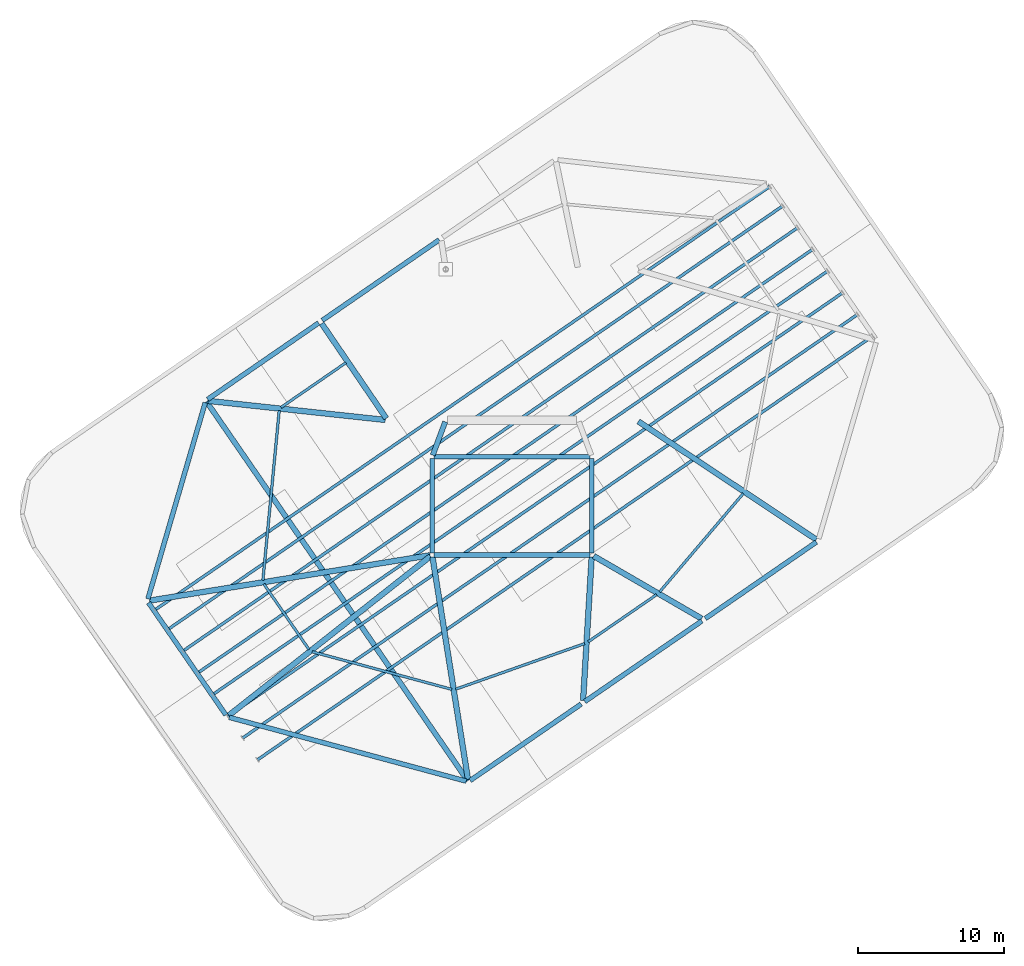
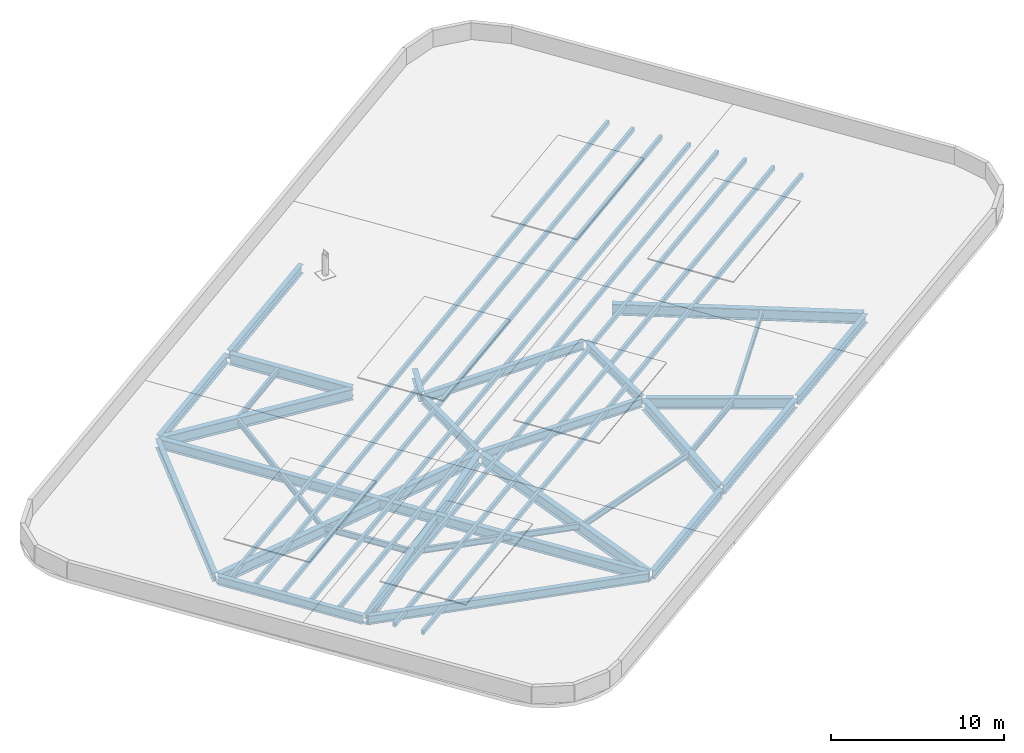
# One storey, part 1 of 7: 29 beams, 8 members.
"""IFC4 building model written with IfcOpenShell, lengths in metres."""

from ifc_helpers import new_model, si_unit, direction, frame, origin, origin_2d, place, context, subcontext, project, spatial, hollow_rectangle, i_section, extrude, material, material_profile, profile_set, type_object, element, save


model = new_model("IFC4")

# Units and contexts
model_context = context("Model", 3, precision=1e-05, world=origin(), true_north=direction((0.0, 1.0)))
body_context = subcontext(model_context, "Body", "Model", "MODEL_VIEW")
ifc_project = project(units=[si_unit("LENGTHUNIT", "METRE"), si_unit("AREAUNIT", "SQUARE_METRE"), si_unit("VOLUMEUNIT", "CUBIC_METRE"), si_unit("PLANEANGLEUNIT", "RADIAN"), si_unit("MASSUNIT", "GRAM", prefix="KILO")], contexts=[model_context])

# Site, building, storey
site_placement = place(None, origin())
site = spatial("IfcSite", under=ifc_project, at=site_placement, CompositionType="ELEMENT")
building_placement = place(site_placement, origin())
building = spatial("IfcBuilding", under=site, at=building_placement, Name="Varnelok Gate Tower", CompositionType="ELEMENT")
storey_placement = place(building_placement, frame((0.0, 0.0, 310.699951171875)))
storey = spatial("IfcBuildingStorey", under=building, at=storey_placement, Name="ROOF", CompositionType="ELEMENT", Elevation=310.699951171875)

# Beams
ifc_material_1 = material(Name="Structural Steel ASTM A992 Grade 50", Category="steel")
ifc_material_profile_1 = material_profile(ifc_material_1, i_section(OverallWidth=0.180908203125, OverallDepth=0.4169921875, WebThickness=0.010986328125, FlangeThickness=0.018310546875, FilletRadius=0.013916015625, at=origin_2d()), Name="W16X57")
ifc_profile_set_1 = profile_set([ifc_material_profile_1], Name="Structural Steel ASTM A992 Grade 50")
beam_type_1 = type_object("IfcBeamType", Name="BM-JST-W16X57", PredefinedType="JOIST", material=ifc_profile_set_1)
beam_1_placement = place(storey_placement, frame((35.3525390625, 10.3818359375, -0.468505859375), z_axis=(0.94281695805, 0.333310941336, 0.0), x_axis=(-0.333310941336, 0.94281695805, 0.0)))
element("IfcBeam", 1, at=beam_1_placement, inside=storey, type_object=beam_type_1, Name="ROOF Sector Floor Joist 1", PredefinedType="JOIST", context=body_context, shape_type="SweptSolid", body=[
    extrude(i_section(OverallWidth=0.180908203125, OverallDepth=0.4169921875, WebThickness=0.010986328125, FlangeThickness=0.018310546875, FilletRadius=0.013916015625, at=origin_2d()), origin(), (0.0, 0.0, 1.0), 9.33984375),
])
beam_2_placement = place(storey_placement, frame((44.405517578125, 13.62109375, -0.468505859375), z_axis=(0.823541573547, 0.567255918117, 0.0), x_axis=(-0.567255918117, 0.823541573547, 0.0)))
element("IfcBeam", 2, at=beam_2_placement, inside=storey, type_object=beam_type_1, Name="ROOF Sector Floor Joist 2", PredefinedType="JOIST", context=body_context, shape_type="SweptSolid", body=[
    extrude(i_section(OverallWidth=0.180908203125, OverallDepth=0.4169921875, WebThickness=0.010986328125, FlangeThickness=0.018310546875, FilletRadius=0.013916015625, at=origin_2d()), origin(), (0.0, 0.0, 1.0), 5.669921875),
])
beam_3_placement = place(storey_placement, frame((49.28076171875, 17.0234375, -0.468505859375), z_axis=(0.647492476983, 0.762071841922, 0.0), x_axis=(-0.762071841922, 0.647492476983, 0.0)))
element("IfcBeam", 3, at=beam_3_placement, inside=storey, type_object=beam_type_1, Name="ROOF Sector Floor Joist 3", PredefinedType="JOIST", context=body_context, shape_type="SweptSolid", body=[
    extrude(i_section(OverallWidth=0.180908203125, OverallDepth=0.4169921875, WebThickness=0.010986328125, FlangeThickness=0.018310546875, FilletRadius=0.013916015625, at=origin_2d()), origin(), (0.0, 0.0, 1.0), 8.817138671875),
])
beam_4_placement = place(storey_placement, frame((27.859375, 32.67236328125, -0.468505859375), z_axis=(-0.823523168655, -0.567282637394, 0.0), x_axis=(0.567282637394, -0.823523168655, 0.0)))
element("IfcBeam", 4, at=beam_4_placement, inside=storey, type_object=beam_type_1, Name="ROOF Sector Floor Joist 8", PredefinedType="JOIST", context=body_context, shape_type="SweptSolid", body=[
    extrude(i_section(OverallWidth=0.180908203125, OverallDepth=0.4169921875, WebThickness=0.010986328125, FlangeThickness=0.018310546875, FilletRadius=0.013916015625, at=origin_2d()), origin(), (0.0, 0.0, 1.0), 5.372802734375),
])
beam_5_placement = place(storey_placement, frame((23.30615234375, 29.40576171875, -0.468505859375), z_axis=(-0.095765159292, -0.99540395532, 0.0), x_axis=(0.99540395532, -0.095765159292, 0.0)))
element("IfcBeam", 5, at=beam_5_placement, inside=storey, type_object=beam_type_1, Name="ROOF Sector Floor Joist 9", PredefinedType="JOIST", context=body_context, shape_type="SweptSolid", body=[
    extrude(i_section(OverallWidth=0.180908203125, OverallDepth=0.4169921875, WebThickness=0.010986328125, FlangeThickness=0.018310546875, FilletRadius=0.013916015625, at=origin_2d()), origin(), (0.0, 0.0, 1.0), 11.640380859375),
])
beam_6_placement = place(storey_placement, frame((22.25732421875, 17.564208984375, -0.468505859375), z_axis=(0.567289657593, -0.823518332758, 0.0), x_axis=(0.823518332758, 0.567289657593, 0.0)))
element("IfcBeam", 6, at=beam_6_placement, inside=storey, type_object=beam_type_1, Name="ROOF Sector Floor Joist 10", PredefinedType="JOIST", context=body_context, shape_type="SweptSolid", body=[
    extrude(i_section(OverallWidth=0.180908203125, OverallDepth=0.4169921875, WebThickness=0.010986328125, FlangeThickness=0.018310546875, FilletRadius=0.013916015625, at=origin_2d()), origin(), (0.0, 0.0, 1.0), 5.43212890625),
])
beam_7_placement = place(storey_placement, frame((25.553466796875, 12.939208984375, -0.468505859375), z_axis=(0.965582081815, -0.260098526098, 0.0), x_axis=(0.260098526098, 0.965582081815, 0.0)))
element("IfcBeam", 7, at=beam_7_placement, inside=storey, type_object=beam_type_1, Name="ROOF Sector Floor Joist 11", PredefinedType="JOIST", context=body_context, shape_type="SweptSolid", body=[
    extrude(i_section(OverallWidth=0.180908203125, OverallDepth=0.4169921875, WebThickness=0.010986328125, FlangeThickness=0.018310546875, FilletRadius=0.013916015625, at=origin_2d()), origin(), (0.0, 0.0, 1.0), 9.871826171875),
])
ifc_material_profile_2 = material_profile(ifc_material_1, i_section(OverallWidth=0.35498046875, OverallDepth=0.696044921875, WebThickness=0.015380859375, FlangeThickness=0.02490234375, FilletRadius=0.02001953125, at=origin_2d()), Name="W27X146")
ifc_profile_set_2 = profile_set([ifc_material_profile_2], Name="Structural Steel ASTM A992 Grade 50")
beam_type_2 = type_object("IfcBeamType", Name="BM-PRI-W27X146", PredefinedType="BEAM", material=ifc_profile_set_2)
beam_8_placement = place(storey_placement, frame((33.791748046875, 26.362548828125, -0.60791015625), z_axis=(0.348719329408, 0.937227202602, 0.0), x_axis=(-0.937227202602, 0.348719329408, 0.0)))
element("IfcBeam", 8, at=beam_8_placement, inside=storey, type_object=beam_type_2, Name="ROOF Core-Atrium Spine Beam 12", PredefinedType="BEAM", context=body_context, shape_type="SweptSolid", body=[
    extrude(i_section(OverallWidth=0.35498046875, OverallDepth=0.696044921875, WebThickness=0.015380859375, FlangeThickness=0.02490234375, FilletRadius=0.02001953125, at=origin_2d()), origin(), (0.0, 0.0, 1.0), 2.42724609375),
])
beam_9_placement = place(storey_placement, frame((36.17626953125, 4.128662109375, -0.60791015625), z_axis=(-0.56726977702, 0.823532027355, 0.0), x_axis=(-0.823532027355, -0.56726977702, 0.0)))
element("IfcBeam", 9, at=beam_9_placement, inside=storey, type_object=beam_type_2, Name="ROOF Canopy Primary Girder 1", PredefinedType="BEAM", context=body_context, shape_type="SweptSolid", body=[
    extrude(i_section(OverallWidth=0.35498046875, OverallDepth=0.696044921875, WebThickness=0.015380859375, FlangeThickness=0.02490234375, FilletRadius=0.02001953125, at=origin_2d()), origin(), (0.0, 0.0, 1.0), 31.43994140625),
])
ifc_material_profile_3 = material_profile(ifc_material_1, i_section(OverallWidth=0.381103515625, OverallDepth=0.77294921875, WebThickness=0.0166015625, FlangeThickness=0.027099609375, FilletRadius=0.02197265625, at=origin_2d()), Name="W30X173")
ifc_profile_set_3 = profile_set([ifc_material_profile_3], Name="Structural Steel ASTM A992 Grade 50")
beam_type_3 = type_object("IfcBeamType", Name="BM-PRI-W30X173", PredefinedType="BEAM", material=ifc_profile_set_3)
beam_10_placement = place(storey_placement, frame((33.773681640625, 19.40185546875, -0.646484375), z_axis=(0.1575955791, -0.987503738448, 0.0), x_axis=(0.987503738448, 0.1575955791, 0.0)))
element("IfcBeam", 10, at=beam_10_placement, inside=storey, type_object=beam_type_3, Name="ROOF Radial Floor Girder 1", PredefinedType="BEAM", context=body_context, shape_type="SweptSolid", body=[
    extrude(i_section(OverallWidth=0.381103515625, OverallDepth=0.77294921875, WebThickness=0.0166015625, FlangeThickness=0.027099609375, FilletRadius=0.02197265625, at=origin_2d()), origin(), (0.0, 0.0, 1.0), 15.383056640625),
])
beam_11_placement = place(storey_placement, frame((44.64111328125, 19.400390625, -0.646484375), z_axis=(-0.059789199361, -0.998211025605, 0.0), x_axis=(0.998211025605, -0.059789199361, 0.0)))
element("IfcBeam", 11, at=beam_11_placement, inside=storey, type_object=beam_type_3, Name="ROOF Radial Floor Girder 2", PredefinedType="BEAM", context=body_context, shape_type="SweptSolid", body=[
    extrude(i_section(OverallWidth=0.381103515625, OverallDepth=0.77294921875, WebThickness=0.0166015625, FlangeThickness=0.027099609375, FilletRadius=0.02197265625, at=origin_2d()), origin(), (0.0, 0.0, 1.0), 9.81640625),
])
beam_12_placement = place(storey_placement, frame((44.77978515625, 19.474609375, -0.646484375), z_axis=(0.865040888509, -0.501701366559, 0.0), x_axis=(0.501701366559, 0.865040888509, 0.0)))
element("IfcBeam", 12, at=beam_12_placement, inside=storey, type_object=beam_type_3, Name="ROOF Radial Floor Girder 3", PredefinedType="BEAM", context=body_context, shape_type="SweptSolid", body=[
    extrude(i_section(OverallWidth=0.381103515625, OverallDepth=0.77294921875, WebThickness=0.0166015625, FlangeThickness=0.027099609375, FilletRadius=0.02197265625, at=origin_2d()), origin(), (0.0, 0.0, 1.0), 8.520751953125),
])
beam_13_placement = place(storey_placement, frame((47.824951171875, 28.6669921875, -0.646484375), z_axis=(0.833073516388, -0.553162287482, 0.0), x_axis=(0.553162287482, 0.833073516388, 0.0)))
element("IfcBeam", 13, at=beam_13_placement, inside=storey, type_object=beam_type_3, Name="ROOF Radial Floor Girder 4", PredefinedType="BEAM", context=body_context, shape_type="SweptSolid", body=[
    extrude(i_section(OverallWidth=0.381103515625, OverallDepth=0.77294921875, WebThickness=0.0166015625, FlangeThickness=0.027099609375, FilletRadius=0.02197265625, at=origin_2d()), origin(), (0.0, 0.0, 1.0), 14.58935546875),
])
beam_14_placement = place(storey_placement, frame((30.615478515625, 28.8740234375, -0.646484375), z_axis=(-0.56291143467, 0.826517221066, 0.0), x_axis=(-0.826517221066, -0.56291143467, 0.0)))
element("IfcBeam", 14, at=beam_14_placement, inside=storey, type_object=beam_type_3, Name="ROOF Radial Floor Girder 9", PredefinedType="BEAM", context=body_context, shape_type="SweptSolid", body=[
    extrude(i_section(OverallWidth=0.381103515625, OverallDepth=0.77294921875, WebThickness=0.0166015625, FlangeThickness=0.027099609375, FilletRadius=0.02197265625, at=origin_2d()), origin(), (0.0, 0.0, 1.0), 7.837158203125),
])
beam_15_placement = place(storey_placement, frame((30.55078125, 28.76611328125, -0.646484375), z_axis=(-0.994246705961, 0.107114367314, 0.0), x_axis=(-0.107114367314, -0.994246705961, 0.0)))
element("IfcBeam", 15, at=beam_15_placement, inside=storey, type_object=beam_type_3, Name="ROOF Radial Floor Girder 10", PredefinedType="BEAM", context=body_context, shape_type="SweptSolid", body=[
    extrude(i_section(OverallWidth=0.381103515625, OverallDepth=0.77294921875, WebThickness=0.0166015625, FlangeThickness=0.027099609375, FilletRadius=0.02197265625, at=origin_2d()), origin(), (0.0, 0.0, 1.0), 12.17578125),
])
beam_16_placement = place(storey_placement, frame((33.601806640625, 19.526123046875, -0.646484375), z_axis=(-0.987185479343, -0.159577032729, 0.0), x_axis=(0.159577032729, -0.987185479343, 0.0)))
element("IfcBeam", 16, at=beam_16_placement, inside=storey, type_object=beam_type_3, Name="ROOF Radial Floor Girder 11", PredefinedType="BEAM", context=body_context, shape_type="SweptSolid", body=[
    extrude(i_section(OverallWidth=0.381103515625, OverallDepth=0.77294921875, WebThickness=0.0166015625, FlangeThickness=0.027099609375, FilletRadius=0.02197265625, at=origin_2d()), origin(), (0.0, 0.0, 1.0), 19.40087890625),
])
beam_17_placement = place(storey_placement, frame((33.632080078125, 19.45703125, -0.646484375), z_axis=(-0.785021008542, -0.619469140594, 0.0), x_axis=(0.619469140594, -0.785021008542, 0.0)))
element("IfcBeam", 17, at=beam_17_placement, inside=storey, type_object=beam_type_3, Name="ROOF Radial Floor Girder 12", PredefinedType="BEAM", context=body_context, shape_type="SweptSolid", body=[
    extrude(i_section(OverallWidth=0.381103515625, OverallDepth=0.77294921875, WebThickness=0.0166015625, FlangeThickness=0.027099609375, FilletRadius=0.02197265625, at=origin_2d()), origin(), (0.0, 0.0, 1.0), 17.537109375),
])
ifc_material_profile_4 = material_profile(ifc_material_1, i_section(OverallWidth=0.323974609375, OverallDepth=0.611083984375, WebThickness=0.0126953125, FlangeThickness=0.01904296875, FilletRadius=0.01806640625, at=origin_2d()), Name="W24X104")
ifc_profile_set_4 = profile_set([ifc_material_profile_4], Name="Structural Steel ASTM A992 Grade 50")
beam_type_4 = type_object("IfcBeamType", Name="BM-SPN-W24X104", PredefinedType="SPANDREL", material=ifc_profile_set_4)
for number, where, z_axis, x_axis, name in (
    (18, (33.8701171875, 19.550048828125, -0.5654296875), (1.0, 0.0, 0.0), (0.0, 1.0, 0.0), "ROOF Core-Atrium Spine Beam 8"),
    (19, (33.8701171875, 26.25, -0.5654296875), (1.0, 0.0, 0.0), (0.0, 1.0, 0.0), "ROOF Core-Atrium Spine Beam 9"),
):
    element("IfcBeam", number, at=place(storey_placement, frame(where, z_axis=z_axis, x_axis=x_axis)), inside=storey, type_object=beam_type_4, Name=name, PredefinedType="SPANDREL", context=body_context, shape_type="SweptSolid", body=[
        extrude(i_section(OverallWidth=0.323974609375, OverallDepth=0.611083984375, WebThickness=0.0126953125, FlangeThickness=0.01904296875, FilletRadius=0.01806640625, at=origin_2d()), origin(), (0.0, 0.0, 1.0), 10.659912109375),
    ])
for number, where, z_axis, x_axis, name in (
    (20, (33.75, 19.669921875, -0.5654296875), (0.0, 1.0, 0.0), (-1.0, 0.0, 0.0), "ROOF Core-Atrium Spine Beam 10"),
    (21, (44.64990234375, 19.669921875, -0.5654296875), (0.0, 1.0, 0.0), (-1.0, 0.0, 0.0), "ROOF Core-Atrium Spine Beam 11"),
):
    element("IfcBeam", number, at=place(storey_placement, frame(where, z_axis=z_axis, x_axis=x_axis)), inside=storey, type_object=beam_type_4, Name=name, PredefinedType="SPANDREL", context=body_context, shape_type="SweptSolid", body=[
        extrude(i_section(OverallWidth=0.323974609375, OverallDepth=0.611083984375, WebThickness=0.0126953125, FlangeThickness=0.01904296875, FilletRadius=0.01806640625, at=origin_2d()), origin(), (0.0, 0.0, 1.0), 6.4599609375),
    ])
beam_18_placement = place(storey_placement, frame((36.34521484375, 4.14794921875, -0.5654296875), z_axis=(0.823535977075, 0.567264042985, 0.0), x_axis=(-0.567264042985, 0.823535977075, 0.0)))
element("IfcBeam", 22, at=beam_18_placement, inside=storey, type_object=beam_type_4, Name="ROOF Perimeter Spandrel Beam 1", PredefinedType="SPANDREL", context=body_context, shape_type="SweptSolid", body=[
    extrude(i_section(OverallWidth=0.323974609375, OverallDepth=0.611083984375, WebThickness=0.0126953125, FlangeThickness=0.01904296875, FilletRadius=0.01806640625, at=origin_2d()), origin(), (0.0, 0.0, 1.0), 9.199951171875),
])
beam_19_placement = place(storey_placement, frame((44.168701171875, 9.536865234375, -0.5654296875), z_axis=(0.823536343083, 0.567263511626, 0.0), x_axis=(-0.567263511626, 0.823536343083, 0.0)))
element("IfcBeam", 23, at=beam_19_placement, inside=storey, type_object=beam_type_4, Name="ROOF Perimeter Spandrel Beam 2", PredefinedType="SPANDREL", context=body_context, shape_type="SweptSolid", body=[
    extrude(i_section(OverallWidth=0.323974609375, OverallDepth=0.611083984375, WebThickness=0.0126953125, FlangeThickness=0.01904296875, FilletRadius=0.01806640625, at=origin_2d()), origin(), (0.0, 0.0, 1.0), 9.699951171875),
])
beam_20_placement = place(storey_placement, frame((52.404052734375, 15.209716796875, -0.5654296875), z_axis=(0.823544516234, 0.567251645905, 0.0), x_axis=(-0.567251645905, 0.823544516234, 0.0)))
element("IfcBeam", 24, at=beam_20_placement, inside=storey, type_object=beam_type_4, Name="ROOF Perimeter Spandrel Beam 3", PredefinedType="SPANDREL", context=body_context, shape_type="SweptSolid", body=[
    extrude(i_section(OverallWidth=0.323974609375, OverallDepth=0.611083984375, WebThickness=0.0126953125, FlangeThickness=0.01904296875, FilletRadius=0.01806640625, at=origin_2d()), origin(), (0.0, 0.0, 1.0), 9.199951171875),
])
beam_21_placement = place(storey_placement, frame((34.231201171875, 41.06298828125, -0.5654296875), z_axis=(-0.823536343083, -0.567263511626, 0.0), x_axis=(0.567263511626, -0.823536343083, 0.0)))
element("IfcBeam", 25, at=beam_21_placement, inside=storey, type_object=beam_type_4, Name="ROOF Perimeter Spandrel Beam 8", PredefinedType="SPANDREL", context=body_context, shape_type="SweptSolid", body=[
    extrude(i_section(OverallWidth=0.323974609375, OverallDepth=0.611083984375, WebThickness=0.0126953125, FlangeThickness=0.01904296875, FilletRadius=0.01806640625, at=origin_2d()), origin(), (0.0, 0.0, 1.0), 9.699951171875),
])
beam_22_placement = place(storey_placement, frame((25.99609375, 35.390380859375, -0.5654296875), z_axis=(-0.82353211935, -0.567269643467, 0.0), x_axis=(0.567269643467, -0.82353211935, 0.0)))
element("IfcBeam", 26, at=beam_22_placement, inside=storey, type_object=beam_type_4, Name="ROOF Perimeter Spandrel Beam 9", PredefinedType="SPANDREL", context=body_context, shape_type="SweptSolid", body=[
    extrude(i_section(OverallWidth=0.323974609375, OverallDepth=0.611083984375, WebThickness=0.0126953125, FlangeThickness=0.01904296875, FilletRadius=0.01806640625, at=origin_2d()), origin(), (0.0, 0.0, 1.0), 9.2001953125),
])
beam_23_placement = place(storey_placement, frame((18.25390625, 29.9423828125, -0.5654296875), z_axis=(-0.280305063046, -0.959910970679, 0.0), x_axis=(0.959910970679, -0.280305063046, 0.0)))
element("IfcBeam", 27, at=beam_23_placement, inside=storey, type_object=beam_type_4, Name="ROOF Perimeter Spandrel Beam 10", PredefinedType="SPANDREL", context=body_context, shape_type="SweptSolid", body=[
    extrude(i_section(OverallWidth=0.323974609375, OverallDepth=0.611083984375, WebThickness=0.0126953125, FlangeThickness=0.01904296875, FilletRadius=0.01806640625, at=origin_2d()), origin(), (0.0, 0.0, 1.0), 13.951416015625),
])
beam_24_placement = place(storey_placement, frame((14.386474609375, 16.28271484375, -0.5654296875), z_axis=(0.567267256345, -0.823533763654, 0.0), x_axis=(0.823533763654, 0.567267256345, 0.0)))
element("IfcBeam", 28, at=beam_24_placement, inside=storey, type_object=beam_type_4, Name="ROOF Perimeter Spandrel Beam 11", PredefinedType="SPANDREL", context=body_context, shape_type="SweptSolid", body=[
    extrude(i_section(OverallWidth=0.323974609375, OverallDepth=0.611083984375, WebThickness=0.0126953125, FlangeThickness=0.01904296875, FilletRadius=0.01806640625, at=origin_2d()), origin(), (0.0, 0.0, 1.0), 9.300048828125),
])
beam_25_placement = place(storey_placement, frame((19.891845703125, 8.46142578125, -0.5654296875), z_axis=(0.965584250457, -0.260090475162, 0.0), x_axis=(0.260090475162, 0.965584250457, 0.0)))
element("IfcBeam", 29, at=beam_25_placement, inside=storey, type_object=beam_type_4, Name="ROOF Perimeter Spandrel Beam 12", PredefinedType="SPANDREL", context=body_context, shape_type="SweptSolid", body=[
    extrude(i_section(OverallWidth=0.323974609375, OverallDepth=0.611083984375, WebThickness=0.0126953125, FlangeThickness=0.01904296875, FilletRadius=0.01806640625, at=origin_2d()), origin(), (0.0, 0.0, 1.0), 16.761962890625),
])

# Members
ifc_material_2 = material(Name="Structural Steel ASTM A500 Grade C", Category="steel")
ifc_material_profile_5 = material_profile(ifc_material_2, hollow_rectangle(XDim=0.199951171875, YDim=0.300048828125, WallThickness=0.012451171875, at=origin_2d()), Name="HSS300X200X12")
ifc_profile_set_5 = profile_set([ifc_material_profile_5], Name="Structural Steel ASTM A500 Grade C")
member_type = type_object("IfcMemberType", Name="MEM-PURLIN-300", PredefinedType="PURLIN", material=ifc_profile_set_5)
for number, where, z_axis, x_axis, name in (
    (30, (21.81396484375, 5.552734375, -0.409912109375), (0.823533571971, 0.567267534622, 0.0), (-0.567267534622, 0.823533571971, 0.0), "ROOF Canopy Purlin 1"),
    (31, (20.79296875, 7.034912109375, -0.409912109375), (0.823529798123, 0.567273013287, 0.0), (-0.567273013287, 0.823529798123, 0.0), "ROOF Canopy Purlin 2"),
    (32, (19.771728515625, 8.517333984375, -0.409912109375), (0.823533571971, 0.567267534622, 0.0), (-0.567267534622, 0.823533571971, 0.0), "ROOF Canopy Purlin 3"),
):
    element("IfcMember", number, at=place(storey_placement, frame(where, z_axis=z_axis, x_axis=x_axis)), inside=storey, type_object=member_type, Name=name, PredefinedType="PURLIN", context=body_context, shape_type="SweptSolid", body=[
        extrude(hollow_rectangle(XDim=0.199951171875, YDim=0.300048828125, WallThickness=0.012451171875, at=origin_2d()), origin(), (0.0, 0.0, 1.0), 51.0400390625),
    ])
member_1_placement = place(storey_placement, frame((18.750732421875, 9.999755859375, -0.409912109375), z_axis=(0.823532032728, 0.56726976922, 0.0), x_axis=(-0.56726976922, 0.823532032728, 0.0)))
element("IfcMember", 33, at=member_1_placement, inside=storey, type_object=member_type, Name="ROOF Canopy Purlin 4", PredefinedType="PURLIN", context=body_context, shape_type="SweptSolid", body=[
    extrude(hollow_rectangle(XDim=0.199951171875, YDim=0.300048828125, WallThickness=0.012451171875, at=origin_2d()), origin(), (0.0, 0.0, 1.0), 51.039794921875),
])
for number, where, z_axis, x_axis, name in (
    (34, (17.7294921875, 11.482177734375, -0.409912109375), (0.823533571971, 0.567267534622, 0.0), (-0.567267534622, 0.823533571971, 0.0), "ROOF Canopy Purlin 5"),
    (35, (16.70849609375, 12.964599609375, -0.409912109375), (0.823533571971, 0.567267534622, 0.0), (-0.567267534622, 0.823533571971, 0.0), "ROOF Canopy Purlin 6"),
    (36, (15.6875, 14.44677734375, -0.409912109375), (0.823533571971, 0.567267534622, 0.0), (-0.567267534622, 0.823533571971, 0.0), "ROOF Canopy Purlin 7"),
):
    element("IfcMember", number, at=place(storey_placement, frame(where, z_axis=z_axis, x_axis=x_axis)), inside=storey, type_object=member_type, Name=name, PredefinedType="PURLIN", context=body_context, shape_type="SweptSolid", body=[
        extrude(hollow_rectangle(XDim=0.199951171875, YDim=0.300048828125, WallThickness=0.012451171875, at=origin_2d()), origin(), (0.0, 0.0, 1.0), 51.0400390625),
    ])
member_2_placement = place(storey_placement, frame((14.77978515625, 15.764404296875, -0.409912109375), z_axis=(0.82353133738, 0.567270778688, 0.0), x_axis=(-0.567270778688, 0.82353133738, 0.0)))
element("IfcMember", 37, at=member_2_placement, inside=storey, type_object=member_type, Name="ROOF Canopy Purlin 8", PredefinedType="PURLIN", context=body_context, shape_type="SweptSolid", body=[
    extrude(hollow_rectangle(XDim=0.199951171875, YDim=0.300048828125, WallThickness=0.012451171875, at=origin_2d()), origin(), (0.0, 0.0, 1.0), 51.040283203125),
])

save(model, "model.ifc")
